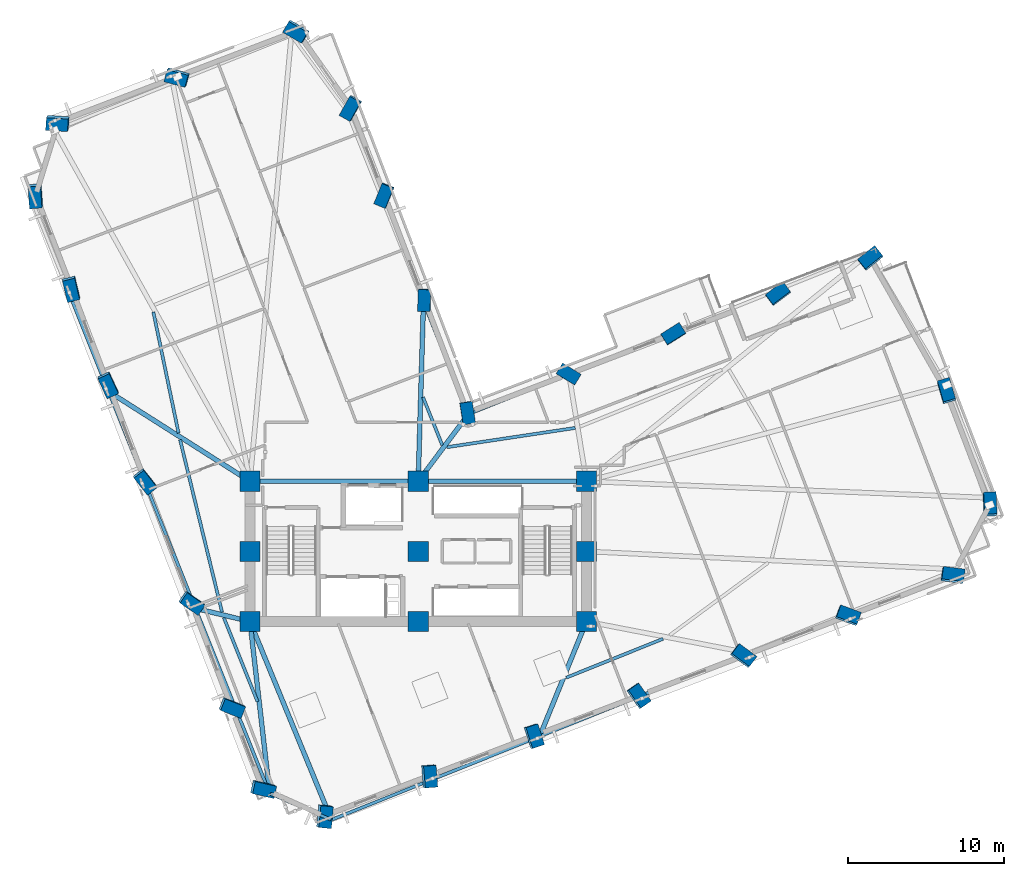
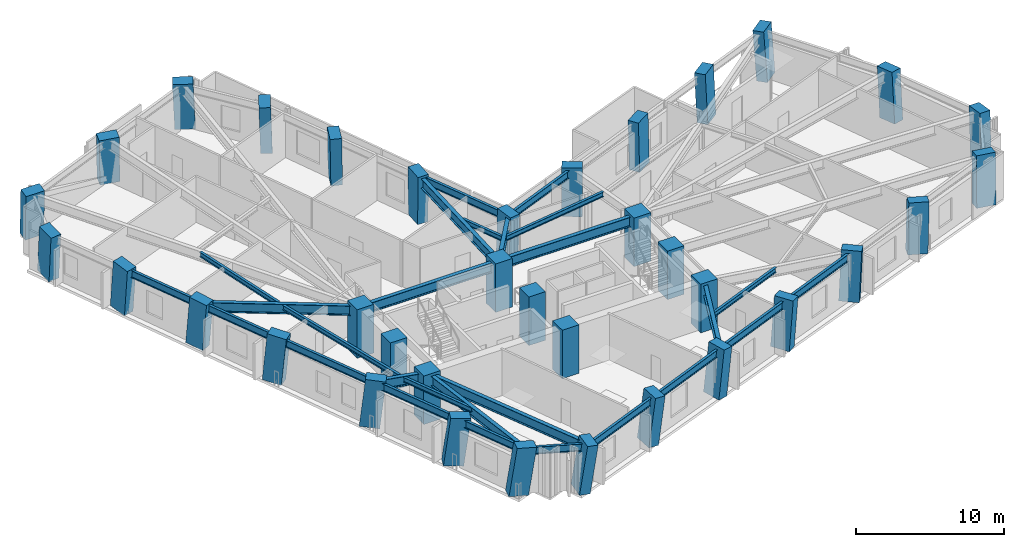
# One storey, part 1 of 15: 36 columns, 27 beams.
"""IFC4 building model written with IfcOpenShell, lengths in metres."""

from ifc_helpers import new_model, si_unit, direction, frame, origin, origin_2d, place, context, subcontext, project, spatial, rectangle, i_section, extrude, material, material_profile, profile_set, type_object, element, save


model = new_model("IFC4")

# Units and contexts
model_context = context("Model", 3, precision=1e-05, world=origin(), true_north=direction((0.0, 1.0)))
body_context = subcontext(model_context, "Body", "Model", "MODEL_VIEW")
ifc_project = project(units=[si_unit("LENGTHUNIT", "METRE"), si_unit("AREAUNIT", "SQUARE_METRE"), si_unit("VOLUMEUNIT", "CUBIC_METRE"), si_unit("PLANEANGLEUNIT", "RADIAN"), si_unit("MASSUNIT", "GRAM", prefix="KILO")], contexts=[model_context])

# Site, building, storey
site_placement = place(None, origin())
site = spatial("IfcSite", under=ifc_project, at=site_placement, CompositionType="ELEMENT")
building_placement = place(site_placement, origin())
building = spatial("IfcBuilding", under=site, at=building_placement, Name="Gaonmaruhae Medical Tower", CompositionType="ELEMENT")
storey_placement = place(building_placement, frame((0.0, 0.0, 112.39990234375)))
storey = spatial("IfcBuildingStorey", under=building, at=storey_placement, Name="L26", CompositionType="ELEMENT", Elevation=112.39990234375)

# Columns
ifc_material_1 = material(Name="Concrete C60/75", Category="concrete")
ifc_material_profile_1 = material_profile(ifc_material_1, rectangle(XDim=1.300048828125, YDim=1.300048828125, at=origin_2d()), Name="RC-1300x1300")
ifc_profile_set_1 = profile_set([ifc_material_profile_1], Name="Concrete C60/75")
column_type_1 = type_object("IfcColumnType", Name="CC-03 Zone 2 Core Column (RC-1300x1300)", PredefinedType="COLUMN", material=ifc_profile_set_1)
for number, where, z_axis, x_axis, name in (
    (1, (14.0, 7.800048828125, 0.0), (0.0, 0.0, 1.0), (1.0, 0.0, 0.0), "L26 Plumb Core Column CC11"),
    (2, (14.0, 12.300048828125, 0.0), (0.0, 0.0, 1.0), (1.0, 0.0, 0.0), "L26 Plumb Core Column CC12"),
    (3, (14.0, 16.800048828125, 0.0), (0.0, 0.0, 1.0), (1.0, 0.0, 0.0), "L26 Plumb Core Column CC13"),
    (4, (24.800048828125, 7.800048828125, 0.0), (0.0, 0.0, 1.0), (1.0, 0.0, 0.0), "L26 Plumb Core Column CC21"),
    (5, (24.800048828125, 12.300048828125, 0.0), (0.0, 0.0, 1.0), (1.0, 0.0, 0.0), "L26 Plumb Core Column CC22"),
    (6, (24.800048828125, 16.800048828125, 0.0), (0.0, 0.0, 1.0), (1.0, 0.0, 0.0), "L26 Plumb Core Column CC23"),
    (7, (35.60009765625, 7.800048828125, 0.0), (0.0, 0.0, 1.0), (1.0, 0.0, 0.0), "L26 Plumb Core Column CC31"),
    (8, (35.60009765625, 12.300048828125, 0.0), (0.0, 0.0, 1.0), (1.0, 0.0, 0.0), "L26 Plumb Core Column CC32"),
    (9, (35.60009765625, 16.800048828125, 0.0), (0.0, 0.0, 1.0), (1.0, 0.0, 0.0), "L26 Plumb Core Column CC33"),
):
    element("IfcColumn", number, at=place(storey_placement, frame(where, z_axis=z_axis, x_axis=x_axis)), inside=storey, type_object=column_type_1, Name=name, PredefinedType="COLUMN", context=body_context, shape_type="SweptSolid", body=[
        extrude(rectangle(XDim=1.300048828125, YDim=1.300048828125, at=origin_2d()), origin(), (0.0, 0.0, 1.0), 4.0),
    ])
ifc_material_profile_2 = material_profile(ifc_material_1, rectangle(XDim=1.39990234375, YDim=0.800048828125, at=origin_2d()), Name="RC-1400x800")
ifc_profile_set_2 = profile_set([ifc_material_profile_2], Name="Concrete C60/75")
column_type_2 = type_object("IfcColumnType", Name="TC-02 Mid Raking Tube Pier Column (RC-1400x800)", PredefinedType="COLUMN", material=ifc_profile_set_2)
column_1_placement = place(storey_placement, frame((18.7431640625, -4.690673828125, 0.001953125), z_axis=(0.121598602574, -0.059982187731, 0.990765318835), x_axis=(0.096301913235, 0.994176214931, 0.048369361922)))
element("IfcColumn", 10, at=column_1_placement, inside=storey, type_object=column_type_2, Name="L26 Perimeter Tube Column S01", PredefinedType="COLUMN", context=body_context, shape_type="SweptSolid", body=[
    extrude(rectangle(XDim=1.39990234375, YDim=0.800048828125, at=origin_2d()), origin(), (0.0, 0.0, 1.0), 4.03369140625),
])
column_2_placement = place(storey_placement, frame((25.46923828125, -2.1220703125, 0.001953125), z_axis=(0.111165605007, -0.032524434653, 0.993269535128), x_axis=(-0.07775131462, 0.996116174496, 0.041319486707)))
element("IfcColumn", 11, at=column_2_placement, inside=storey, type_object=column_type_2, Name="L26 Perimeter Tube Column S02", PredefinedType="COLUMN", context=body_context, shape_type="SweptSolid", body=[
    extrude(rectangle(XDim=1.39990234375, YDim=0.800048828125, at=origin_2d()), origin(), (0.0, 0.0, 1.0), 4.0234375),
])
column_3_placement = place(storey_placement, frame((32.195556640625, 0.446533203125, 0.001953125), z_axis=(0.100471354658, -0.004923278722, 0.994927770353), x_axis=(-0.308780331576, 0.950456194039, 0.035884955697)))
element("IfcColumn", 12, at=column_3_placement, inside=storey, type_object=column_type_2, Name="L26 Perimeter Tube Column S03", PredefinedType="COLUMN", context=body_context, shape_type="SweptSolid", body=[
    extrude(rectangle(XDim=1.39990234375, YDim=0.800048828125, at=origin_2d()), origin(), (0.0, 0.0, 1.0), 4.0166015625),
])
column_4_placement = place(storey_placement, frame((38.921875, 3.01513671875, 0.001953125), z_axis=(0.089722632167, 0.02268918088, 0.995708315898), x_axis=(-0.573399819139, 0.818610197095, 0.033015036332)))
element("IfcColumn", 13, at=column_4_placement, inside=storey, type_object=column_type_2, Name="L26 Perimeter Tube Column S04", PredefinedType="COLUMN", context=body_context, shape_type="SweptSolid", body=[
    extrude(rectangle(XDim=1.39990234375, YDim=0.800048828125, at=origin_2d()), origin(), (0.0, 0.0, 1.0), 4.013671875),
])
column_5_placement = place(storey_placement, frame((45.64794921875, 5.583740234375, 0.001953125), z_axis=(0.078947790849, 0.050361148554, 0.995605846225), x_axis=(-0.801849419572, 0.596591609047, 0.033405992688)))
element("IfcColumn", 14, at=column_5_placement, inside=storey, type_object=column_type_2, Name="L26 Perimeter Tube Column S05", PredefinedType="COLUMN", context=body_context, shape_type="SweptSolid", body=[
    extrude(rectangle(XDim=1.39990234375, YDim=0.800048828125, at=origin_2d()), origin(), (0.0, 0.0, 1.0), 4.013916015625),
])
column_6_placement = place(storey_placement, frame((52.374267578125, 8.15234375, 0.001953125), z_axis=(0.067994181617, 0.077959369986, 0.994635173266), x_axis=(-0.93727055229, 0.346644050033, 0.03690276937)))
element("IfcColumn", 15, at=column_6_placement, inside=storey, type_object=column_type_2, Name="L26 Perimeter Tube Column S06", PredefinedType="COLUMN", context=body_context, shape_type="SweptSolid", body=[
    extrude(rectangle(XDim=1.39990234375, YDim=0.800048828125, at=origin_2d()), origin(), (0.0, 0.0, 1.0), 4.017822265625),
])
column_7_placement = place(storey_placement, frame((59.1005859375, 10.720703125, 0.001953125), z_axis=(0.057071849794, 0.105470719226, 0.992783325478), x_axis=(-0.990177431799, 0.133110722868, 0.042780708428)))
element("IfcColumn", 16, at=column_7_placement, inside=storey, type_object=column_type_2, Name="L26 Perimeter Tube Column S07", PredefinedType="COLUMN", context=body_context, shape_type="SweptSolid", body=[
    extrude(rectangle(XDim=1.39990234375, YDim=0.800048828125, at=origin_2d()), origin(), (0.0, 0.0, 1.0), 4.025390625),
])
column_8_placement = place(storey_placement, frame((61.484375, 15.2705078125, 0.001953125), z_axis=(0.038263882911, 0.115094849072, 0.992617273163), x_axis=(0.045975598862, -0.992495561747, 0.113308447267)))
element("IfcColumn", 17, at=column_8_placement, inside=storey, type_object=column_type_2, Name="L26 Perimeter Tube Column E01", PredefinedType="COLUMN", context=body_context, shape_type="SweptSolid", body=[
    extrude(rectangle(XDim=1.39990234375, YDim=0.800048828125, at=origin_2d()), origin(), (0.0, 0.0, 1.0), 4.026123046875),
])
column_9_placement = place(storey_placement, frame((58.70166015625, 22.557373046875, 0.001953125), z_axis=(0.008384963589, 0.103536072138, 0.994590354946), x_axis=(0.280571284109, -0.954915121336, 0.097040535741)))
element("IfcColumn", 18, at=column_9_placement, inside=storey, type_object=column_type_2, Name="L26 Perimeter Tube Column E02", PredefinedType="COLUMN", context=body_context, shape_type="SweptSolid", body=[
    extrude(rectangle(XDim=1.39990234375, YDim=0.800048828125, at=origin_2d()), origin(), (0.0, 0.0, 1.0), 4.01806640625),
])
column_10_placement = place(storey_placement, frame((53.840087890625, 31.083984375, 0.001953125), z_axis=(-0.02665519413, 0.083373552415, 0.99616180984), x_axis=(-0.781616161298, -0.622977639783, 0.031225578096)))
element("IfcColumn", 19, at=column_10_placement, inside=storey, type_object=column_type_2, Name="L26 Perimeter Tube Column E03", PredefinedType="COLUMN", context=body_context, shape_type="SweptSolid", body=[
    extrude(rectangle(XDim=1.39990234375, YDim=0.800048828125, at=origin_2d()), origin(), (0.0, 0.0, 1.0), 4.01171875),
])
column_11_placement = place(storey_placement, frame((47.90771484375, 28.818603515625, 0.001953125), z_axis=(-0.017073122425, 0.059085198677, 0.998106932041), x_axis=(-0.798643791518, -0.601403956679, 0.021940263449)))
element("IfcColumn", 20, at=column_11_placement, inside=storey, type_object=column_type_2, Name="L26 Perimeter Tube Column EN01", PredefinedType="COLUMN", context=body_context, shape_type="SweptSolid", body=[
    extrude(rectangle(XDim=1.39990234375, YDim=0.800048828125, at=origin_2d()), origin(), (0.0, 0.0, 1.0), 4.00390625),
])
column_12_placement = place(storey_placement, frame((41.181640625, 26.25, 0.001953125), z_axis=(-0.006289157671, 0.03138472857, 0.999487591373), x_axis=(-0.845937224, -0.533160225609, 0.011418707428)))
element("IfcColumn", 21, at=column_12_placement, inside=storey, type_object=column_type_2, Name="L26 Perimeter Tube Column EN02", PredefinedType="COLUMN", context=body_context, shape_type="SweptSolid", body=[
    extrude(rectangle(XDim=1.39990234375, YDim=0.800048828125, at=origin_2d()), origin(), (0.0, 0.0, 1.0), 3.998291015625),
])
column_13_placement = place(storey_placement, frame((34.455322265625, 23.681640625, 0.001953125), z_axis=(0.004581754657, 0.003543223601, 0.999983226405), x_axis=(-0.853691308844, 0.52077526819, 0.002066215567)))
element("IfcColumn", 22, at=column_13_placement, inside=storey, type_object=column_type_2, Name="L26 Perimeter Tube Column EN03", PredefinedType="COLUMN", context=body_context, shape_type="SweptSolid", body=[
    extrude(rectangle(XDim=1.39990234375, YDim=0.800048828125, at=origin_2d()), origin(), (0.0, 0.0, 1.0), 3.996337890625),
])
column_14_placement = place(storey_placement, frame((27.962646484375, 21.2021484375, 0.001953125), z_axis=(0.015083717876, -0.023205719809, 0.999616914634), x_axis=(-0.154931345932, 0.987602134532, 0.025264637642)))
element("IfcColumn", 23, at=column_14_placement, inside=storey, type_object=column_type_2, Name="L26 Perimeter Tube Column KN01", PredefinedType="COLUMN", context=body_context, shape_type="SweptSolid", body=[
    extrude(rectangle(XDim=1.39990234375, YDim=0.800048828125, at=origin_2d()), origin(), (0.0, 0.0, 1.0), 3.997802734375),
])
column_15_placement = place(storey_placement, frame((25.19775390625, 28.442138671875, 0.001953125), z_axis=(-0.014773412501, -0.034918975002, 0.999280947215), x_axis=(0.035197670554, 0.998752464752, 0.035420871532)))
element("IfcColumn", 24, at=column_15_placement, inside=storey, type_object=column_type_2, Name="L26 Perimeter Tube Column NE01", PredefinedType="COLUMN", context=body_context, shape_type="SweptSolid", body=[
    extrude(rectangle(XDim=1.39990234375, YDim=0.800048828125, at=origin_2d()), origin(), (0.0, 0.0, 1.0), 3.999267578125),
])
column_16_placement = place(storey_placement, frame((22.629150390625, 35.16845703125, 0.001953125), z_axis=(-0.042497434841, -0.045728947103, 0.998049513516), x_axis=(0.373403967299, 0.925833824237, 0.058319868861)))
element("IfcColumn", 25, at=column_16_placement, inside=storey, type_object=column_type_2, Name="L26 Perimeter Tube Column NE02", PredefinedType="COLUMN", context=body_context, shape_type="SweptSolid", body=[
    extrude(rectangle(XDim=1.39990234375, YDim=0.800048828125, at=origin_2d()), origin(), (0.0, 0.0, 1.0), 4.004150390625),
])
column_17_placement = place(storey_placement, frame((20.48876953125, 40.773681640625, 0.001953125), z_axis=(-0.065494174518, -0.054720504546, 0.996351433725), x_axis=(0.485566626564, 0.870556249889, 0.079729962663)))
element("IfcColumn", 26, at=column_17_placement, inside=storey, type_object=column_type_2, Name="L26 Perimeter Tube Column NE03", PredefinedType="COLUMN", context=body_context, shape_type="SweptSolid", body=[
    extrude(rectangle(XDim=1.39990234375, YDim=0.800048828125, at=origin_2d()), origin(), (0.0, 0.0, 1.0), 4.010986328125),
])
column_18_placement = place(storey_placement, frame((17.00048828125, 45.70361328125, 0.001953125), z_axis=(-0.08555522656, -0.06909996297, 0.993934353127), x_axis=(0.86282484586, -0.503978288116, 0.039232263177)))
element("IfcColumn", 27, at=column_18_placement, inside=storey, type_object=column_type_2, Name="L26 Perimeter Tube Column N01", PredefinedType="COLUMN", context=body_context, shape_type="SweptSolid", body=[
    extrude(rectangle(XDim=1.39990234375, YDim=0.800048828125, at=origin_2d()), origin(), (0.0, 0.0, 1.0), 4.020751953125),
])
column_19_placement = place(storey_placement, frame((9.340087890625, 42.7783203125, 0.001953125), z_axis=(-0.07310555409, -0.100383745915, 0.992259382176), x_axis=(0.963553675807, -0.263821466154, 0.044300652763)))
element("IfcColumn", 28, at=column_19_placement, inside=storey, type_object=column_type_2, Name="L26 Perimeter Tube Column N02", PredefinedType="COLUMN", context=body_context, shape_type="SweptSolid", body=[
    extrude(rectangle(XDim=1.39990234375, YDim=0.800048828125, at=origin_2d()), origin(), (0.0, 0.0, 1.0), 4.027587890625),
])
column_20_placement = place(storey_placement, frame((1.6796875, 39.85302734375, 0.001953125), z_axis=(-0.060689479062, -0.131413274383, 0.989468209922), x_axis=(0.996122663983, -0.071226123584, 0.05163794746)))
element("IfcColumn", 29, at=column_20_placement, inside=storey, type_object=column_type_2, Name="L26 Perimeter Tube Column N03", PredefinedType="COLUMN", context=body_context, shape_type="SweptSolid", body=[
    extrude(rectangle(XDim=1.39990234375, YDim=0.800048828125, at=origin_2d()), origin(), (0.0, 0.0, 1.0), 4.038818359375),
])
column_21_placement = place(storey_placement, frame((0.25048828125, 35.18603515625, 0.001953125), z_axis=(-0.041476198525, -0.137125391043, 0.989684976185), x_axis=(-0.07378339726, 0.988253126916, 0.133834851324)))
element("IfcColumn", 30, at=column_21_placement, inside=storey, type_object=column_type_2, Name="L26 Perimeter Tube Column W01", PredefinedType="COLUMN", context=body_context, shape_type="SweptSolid", body=[
    extrude(rectangle(XDim=1.39990234375, YDim=0.800048828125, at=origin_2d()), origin(), (0.0, 0.0, 1.0), 4.0380859375),
])
column_22_placement = place(storey_placement, frame((2.53369140625, 29.207275390625, 0.001953125), z_axis=(-0.017083694173, -0.127885384397, 0.991641808241), x_axis=(-0.230933041621, 0.965474948457, 0.120532378182)))
element("IfcColumn", 31, at=column_22_placement, inside=storey, type_object=column_type_2, Name="L26 Perimeter Tube Column W02", PredefinedType="COLUMN", context=body_context, shape_type="SweptSolid", body=[
    extrude(rectangle(XDim=1.39990234375, YDim=0.800048828125, at=origin_2d()), origin(), (0.0, 0.0, 1.0), 4.030029296875),
])
column_23_placement = place(storey_placement, frame((4.88818359375, 23.04150390625, 0.001953125), z_axis=(0.008189293553, -0.118107811468, 0.992967008687), x_axis=(-0.420049262913, 0.900736291816, 0.110601760074)))
element("IfcColumn", 32, at=column_23_placement, inside=storey, type_object=column_type_2, Name="L26 Perimeter Tube Column W03", PredefinedType="COLUMN", context=body_context, shape_type="SweptSolid", body=[
    extrude(rectangle(XDim=1.39990234375, YDim=0.800048828125, at=origin_2d()), origin(), (0.0, 0.0, 1.0), 4.024658203125),
])
column_24_placement = place(storey_placement, frame((7.260498046875, 16.8291015625, 0.001953125), z_axis=(0.033747682875, -0.108223234831, 0.99355363486), x_axis=(-0.616879645364, 0.77989986195, 0.105904241962)))
element("IfcColumn", 33, at=column_24_placement, inside=storey, type_object=column_type_2, Name="L26 Perimeter Tube Column W04", PredefinedType="COLUMN", context=body_context, shape_type="SweptSolid", body=[
    extrude(rectangle(XDim=1.39990234375, YDim=0.800048828125, at=origin_2d()), origin(), (0.0, 0.0, 1.0), 4.022216796875),
])
column_25_placement = place(storey_placement, frame((10.2392578125, 9.028564453125, 0.001953125), z_axis=(0.065774792344, -0.095688973733, 0.993235771103), x_axis=(-0.819595414556, 0.562580206894, 0.108475191866)))
element("IfcColumn", 34, at=column_25_placement, inside=storey, type_object=column_type_2, Name="L26 Perimeter Tube Column W05", PredefinedType="COLUMN", context=body_context, shape_type="SweptSolid", body=[
    extrude(rectangle(XDim=1.39990234375, YDim=0.800048828125, at=origin_2d()), origin(), (0.0, 0.0, 1.0), 4.0234375),
])
column_26_placement = place(storey_placement, frame((12.807861328125, 2.30224609375, 0.001953125), z_axis=(0.093209723125, -0.084725092932, 0.992035083121), x_axis=(-0.925740747344, 0.359384006136, 0.117674146863)))
element("IfcColumn", 35, at=column_26_placement, inside=storey, type_object=column_type_2, Name="L26 Perimeter Tube Column W06", PredefinedType="COLUMN", context=body_context, shape_type="SweptSolid", body=[
    extrude(rectangle(XDim=1.39990234375, YDim=0.800048828125, at=origin_2d()), origin(), (0.0, 0.0, 1.0), 4.0283203125),
])
column_27_placement = place(storey_placement, frame((14.8056640625, -2.929443359375, 0.001953125), z_axis=(0.114486215861, -0.076182952309, 0.990499401391), x_axis=(-0.967987444, 0.215629348499, 0.12846903255)))
element("IfcColumn", 36, at=column_27_placement, inside=storey, type_object=column_type_2, Name="L26 Perimeter Tube Column W07", PredefinedType="COLUMN", context=body_context, shape_type="SweptSolid", body=[
    extrude(rectangle(XDim=1.39990234375, YDim=0.800048828125, at=origin_2d()), origin(), (0.0, 0.0, 1.0), 4.03466796875),
])

# Beams
ifc_material_2 = material(Name="Steel SM355", Category="steel")
ifc_material_profile_3 = material_profile(ifc_material_2, i_section(OverallWidth=0.199951171875, OverallDepth=0.39990234375, WebThickness=0.008056640625, FlangeThickness=0.012939453125, FilletRadius=0.012939453125, at=origin_2d()), Name="H-400x200x8x13")
ifc_profile_set_3 = profile_set([ifc_material_profile_3], Name="Steel SM355")
beam_type_1 = type_object("IfcBeamType", Name="FJ-01 Lower Zone Ward Floor Joist (H-400x200x8x13)", PredefinedType="JOIST", material=ifc_profile_set_3)
beam_1_placement = place(storey_placement, frame((34.298828125, 4.193115234375, 3.580078125), z_axis=(0.92815984052, 0.372181824442, 0.0), x_axis=(-0.372181824442, 0.92815984052, 0.0)))
element("IfcBeam", 37, at=beam_1_placement, inside=storey, type_object=beam_type_1, Name="L26 Secondary Floor Joist FJ02", PredefinedType="JOIST", context=body_context, shape_type="SweptSolid", body=[
    extrude(i_section(OverallWidth=0.199951171875, OverallDepth=0.39990234375, WebThickness=0.008056640625, FlangeThickness=0.012939453125, FilletRadius=0.012939453125, at=origin_2d()), origin(), (0.0, 0.0, 1.0), 6.70263671875),
])
beam_2_placement = place(storey_placement, frame((34.882568359375, 20.224853515625, 3.580078125), z_axis=(-0.988942145071, -0.148301833107, 0.0), x_axis=(0.148301833107, -0.988942145071, 0.0)))
element("IfcBeam", 38, at=beam_2_placement, inside=storey, type_object=beam_type_1, Name="L26 Secondary Floor Joist FJ08", PredefinedType="JOIST", context=body_context, shape_type="SweptSolid", body=[
    extrude(i_section(OverallWidth=0.199951171875, OverallDepth=0.39990234375, WebThickness=0.008056640625, FlangeThickness=0.012939453125, FilletRadius=0.012939453125, at=origin_2d()), origin(), (0.0, 0.0, 1.0), 8.346435546875),
])
beam_3_placement = place(storey_placement, frame((26.34375, 19.123291015625, 3.580078125), z_axis=(-0.372153201761, 0.928171317387, 0.0), x_axis=(-0.928171317387, -0.372153201761, 0.0)))
element("IfcBeam", 39, at=beam_3_placement, inside=storey, type_object=beam_type_1, Name="L26 Secondary Floor Joist FJ09", PredefinedType="JOIST", context=body_context, shape_type="SweptSolid", body=[
    extrude(i_section(OverallWidth=0.199951171875, OverallDepth=0.39990234375, WebThickness=0.008056640625, FlangeThickness=0.012939453125, FilletRadius=0.012939453125, at=origin_2d()), origin(), (0.0, 0.0, 1.0), 3.3115234375),
])
beam_4_placement = place(storey_placement, frame((7.798828125, 27.668701171875, 3.580078125), z_axis=(0.203724683831, -0.979028218796, 0.0), x_axis=(0.979028218796, 0.203724683831, 0.0)))
element("IfcBeam", 40, at=beam_4_placement, inside=storey, type_object=beam_type_1, Name="L26 Secondary Floor Joist FJ13", PredefinedType="JOIST", context=body_context, shape_type="SweptSolid", body=[
    extrude(i_section(OverallWidth=0.199951171875, OverallDepth=0.39990234375, WebThickness=0.008056640625, FlangeThickness=0.012939453125, FilletRadius=0.012939453125, at=origin_2d()), origin(), (0.0, 0.0, 1.0), 7.941650390625),
])
beam_5_placement = place(storey_placement, frame((9.51318359375, 19.466796875, 3.580078125), z_axis=(0.236645051036, -0.971596171164, 0.0), x_axis=(0.971596171164, 0.236645051036, 0.0)))
element("IfcBeam", 41, at=beam_5_placement, inside=storey, type_object=beam_type_1, Name="L26 Secondary Floor Joist FJ14", PredefinedType="JOIST", context=body_context, shape_type="SweptSolid", body=[
    extrude(i_section(OverallWidth=0.199951171875, OverallDepth=0.39990234375, WebThickness=0.008056640625, FlangeThickness=0.012939453125, FilletRadius=0.012939453125, at=origin_2d()), origin(), (0.0, 0.0, 1.0), 11.39892578125),
])
beam_6_placement = place(storey_placement, frame((12.32275390625, 8.04541015625, 3.580078125), z_axis=(0.372173078254, -0.928163347597, 0.0), x_axis=(0.928163347597, 0.372173078254, 0.0)))
element("IfcBeam", 42, at=beam_6_placement, inside=storey, type_object=beam_type_1, Name="L26 Secondary Floor Joist FJ15", PredefinedType="JOIST", context=body_context, shape_type="SweptSolid", body=[
    extrude(i_section(OverallWidth=0.199951171875, OverallDepth=0.39990234375, WebThickness=0.008056640625, FlangeThickness=0.012939453125, FilletRadius=0.012939453125, at=origin_2d()), origin(), (0.0, 0.0, 1.0), 5.809326171875),
])
ifc_material_3 = material(Name="Steel SM420", Category="steel")
ifc_material_profile_4 = material_profile(ifc_material_3, i_section(OverallWidth=0.300048828125, OverallDepth=0.800048828125, WebThickness=0.013916015625, FlangeThickness=0.02587890625, FilletRadius=0.01806640625, at=origin_2d()), Name="H-800x300x14x26")
ifc_profile_set_4 = profile_set([ifc_material_profile_4], Name="Steel SM420")
beam_type_2 = type_object("IfcBeamType", Name="PG-02 Zone 2 Radial Floor Girder (H-800x300x14x26)", PredefinedType="BEAM", material=ifc_profile_set_4)
for number, where, z_axis, x_axis, name in (
    (43, (14.050048828125, 16.800048828125, 3.380126953125), (1.0, 0.0, 0.0), (0.0, 1.0, 0.0), "L26 Beam BM-L26-CG-N1"),
    (44, (24.85009765625, 16.800048828125, 3.380126953125), (1.0, 0.0, 0.0), (0.0, 1.0, 0.0), "L26 Beam BM-L26-CG-N2"),
):
    element("IfcBeam", number, at=place(storey_placement, frame(where, z_axis=z_axis, x_axis=x_axis)), inside=storey, type_object=beam_type_2, Name=name, PredefinedType="BEAM", context=body_context, shape_type="SweptSolid", body=[
        extrude(i_section(OverallWidth=0.300048828125, OverallDepth=0.800048828125, WebThickness=0.013916015625, FlangeThickness=0.02587890625, FilletRadius=0.01806640625, at=origin_2d()), origin(), (0.0, 0.0, 1.0), 10.699951171875),
    ])
beam_7_placement = place(storey_placement, frame((14.01904296875, 7.753662109375, 3.380126953125), z_axis=(0.38018906955, -0.924908790852, 0.0), x_axis=(0.924908790852, 0.38018906955, 0.0)))
element("IfcBeam", 45, at=beam_7_placement, inside=storey, type_object=beam_type_2, Name="L26 Radial Primary Girder S01", PredefinedType="BEAM", context=body_context, shape_type="SweptSolid", body=[
    extrude(i_section(OverallWidth=0.300048828125, OverallDepth=0.800048828125, WebThickness=0.013916015625, FlangeThickness=0.02587890625, FilletRadius=0.01806640625, at=origin_2d()), origin(), (0.0, 0.0, 1.0), 13.666259765625),
])
beam_8_placement = place(storey_placement, frame((35.5810546875, 7.753662109375, 3.380126953125), z_axis=(-0.376931823598, -0.926241005548, 0.0), x_axis=(0.926241005548, -0.376931823598, 0.0)))
element("IfcBeam", 46, at=beam_8_placement, inside=storey, type_object=beam_type_2, Name="L26 Radial Primary Girder S03", PredefinedType="BEAM", context=body_context, shape_type="SweptSolid", body=[
    extrude(i_section(OverallWidth=0.300048828125, OverallDepth=0.800048828125, WebThickness=0.013916015625, FlangeThickness=0.02587890625, FilletRadius=0.01806640625, at=origin_2d()), origin(), (0.0, 0.0, 1.0), 7.860595703125),
])
beam_9_placement = place(storey_placement, frame((24.829833984375, 16.840087890625, 3.380126953125), z_axis=(0.598949149078, 0.800787060846, 0.0), x_axis=(-0.800787060846, 0.598949149078, 0.0)))
element("IfcBeam", 47, at=beam_9_placement, inside=storey, type_object=beam_type_2, Name="L26 Radial Primary Girder KN01", PredefinedType="BEAM", context=body_context, shape_type="SweptSolid", body=[
    extrude(i_section(OverallWidth=0.300048828125, OverallDepth=0.800048828125, WebThickness=0.013916015625, FlangeThickness=0.02587890625, FilletRadius=0.01806640625, at=origin_2d()), origin(), (0.0, 0.0, 1.0), 5.281005859375),
])
beam_10_placement = place(storey_placement, frame((24.801513671875, 16.85009765625, 3.380126953125), z_axis=(0.029427982439, 0.999566903138, 0.0), x_axis=(-0.999566903138, 0.029427982439, 0.0)))
element("IfcBeam", 48, at=beam_10_placement, inside=storey, type_object=beam_type_2, Name="L26 Radial Primary Girder NE01", PredefinedType="BEAM", context=body_context, shape_type="SweptSolid", body=[
    extrude(i_section(OverallWidth=0.300048828125, OverallDepth=0.800048828125, WebThickness=0.013916015625, FlangeThickness=0.02587890625, FilletRadius=0.01806640625, at=origin_2d()), origin(), (0.0, 0.0, 1.0), 11.4072265625),
])
beam_11_placement = place(storey_placement, frame((13.957763671875, 16.826904296875, 3.380126953125), z_axis=(-0.844151751317, 0.536104300252, 0.0), x_axis=(-0.536104300252, -0.844151751317, 0.0)))
element("IfcBeam", 49, at=beam_11_placement, inside=storey, type_object=beam_type_2, Name="L26 Radial Primary Girder W03", PredefinedType="BEAM", context=body_context, shape_type="SweptSolid", body=[
    extrude(i_section(OverallWidth=0.300048828125, OverallDepth=0.800048828125, WebThickness=0.013916015625, FlangeThickness=0.02587890625, FilletRadius=0.01806640625, at=origin_2d()), origin(), (0.0, 0.0, 1.0), 10.655029296875),
])
beam_12_placement = place(storey_placement, frame((13.951416015625, 7.811767578125, 3.380126953125), z_axis=(-0.972105818675, 0.234542698242, 0.0), x_axis=(-0.234542698242, -0.972105818675, 0.0)))
element("IfcBeam", 50, at=beam_12_placement, inside=storey, type_object=beam_type_2, Name="L26 Radial Primary Girder W05", PredefinedType="BEAM", context=body_context, shape_type="SweptSolid", body=[
    extrude(i_section(OverallWidth=0.300048828125, OverallDepth=0.800048828125, WebThickness=0.013916015625, FlangeThickness=0.02587890625, FilletRadius=0.01806640625, at=origin_2d()), origin(), (0.0, 0.0, 1.0), 3.496337890625),
])
beam_13_placement = place(storey_placement, frame((14.005615234375, 7.750244140625, 3.380126953125), z_axis=(0.114115704905, -0.993467465946, 0.0), x_axis=(0.993467465946, 0.114115704905, 0.0)))
element("IfcBeam", 51, at=beam_13_placement, inside=storey, type_object=beam_type_2, Name="L26 Radial Primary Girder W07", PredefinedType="BEAM", context=body_context, shape_type="SweptSolid", body=[
    extrude(i_section(OverallWidth=0.300048828125, OverallDepth=0.800048828125, WebThickness=0.013916015625, FlangeThickness=0.02587890625, FilletRadius=0.01806640625, at=origin_2d()), origin(), (0.0, 0.0, 1.0), 11.009521484375),
])
ifc_material_profile_5 = material_profile(ifc_material_2, i_section(OverallWidth=0.199951171875, OverallDepth=0.60009765625, WebThickness=0.010986328125, FlangeThickness=0.01708984375, FilletRadius=0.012939453125, at=origin_2d()), Name="H-600x200x11x17")
ifc_profile_set_5 = profile_set([ifc_material_profile_5], Name="Steel SM355")
beam_type_3 = type_object("IfcBeamType", Name="SP-01 Lower Perimeter Spandrel Beam (H-600x200x11x17)", PredefinedType="SPANDREL", material=ifc_profile_set_5)
beam_14_placement = place(storey_placement, frame((19.27099609375, -4.917724609375, 3.47998046875), z_axis=(0.928159466782, 0.372182756482, 0.0), x_axis=(-0.372182756482, 0.928159466782, 0.0)))
element("IfcBeam", 52, at=beam_14_placement, inside=storey, type_object=beam_type_3, Name="L26 Perimeter Spandrel Beam S01-S02", PredefinedType="SPANDREL", context=body_context, shape_type="SweptSolid", body=[
    extrude(i_section(OverallWidth=0.199951171875, OverallDepth=0.60009765625, WebThickness=0.010986328125, FlangeThickness=0.01708984375, FilletRadius=0.012939453125, at=origin_2d()), origin(), (0.0, 0.0, 1.0), 7.119873046875),
])
beam_15_placement = place(storey_placement, frame((25.95361328125, -2.23828125, 3.47998046875), z_axis=(0.928164216395, 0.37217091155, 0.0), x_axis=(-0.37217091155, 0.928164216395, 0.0)))
element("IfcBeam", 53, at=beam_15_placement, inside=storey, type_object=beam_type_3, Name="L26 Perimeter Spandrel Beam S02-S03", PredefinedType="SPANDREL", context=body_context, shape_type="SweptSolid", body=[
    extrude(i_section(OverallWidth=0.199951171875, OverallDepth=0.60009765625, WebThickness=0.010986328125, FlangeThickness=0.01708984375, FilletRadius=0.012939453125, at=origin_2d()), origin(), (0.0, 0.0, 1.0), 7.1201171875),
])
for number, where, z_axis, x_axis, name in (
    (54, (32.636474609375, 0.44140625, 3.47998046875), (0.928159466782, 0.372182756482, 0.0), (-0.372182756482, 0.928159466782, 0.0), "L26 Perimeter Spandrel Beam S03-S04"),
    (55, (39.3193359375, 3.12109375, 3.47998046875), (0.928159466782, 0.372182756482, 0.0), (-0.372182756482, 0.928159466782, 0.0), "L26 Perimeter Spandrel Beam S04-S05"),
):
    element("IfcBeam", number, at=place(storey_placement, frame(where, z_axis=z_axis, x_axis=x_axis)), inside=storey, type_object=beam_type_3, Name=name, PredefinedType="SPANDREL", context=body_context, shape_type="SweptSolid", body=[
        extrude(i_section(OverallWidth=0.199951171875, OverallDepth=0.60009765625, WebThickness=0.010986328125, FlangeThickness=0.01708984375, FilletRadius=0.012939453125, at=origin_2d()), origin(), (0.0, 0.0, 1.0), 7.119873046875),
    ])
beam_16_placement = place(storey_placement, frame((34.4365234375, 23.680908203125, 3.47998046875), z_axis=(-0.928160196056, -0.372180937794, 0.0), x_axis=(0.372180937794, -0.928160196056, 0.0)))
element("IfcBeam", 56, at=beam_16_placement, inside=storey, type_object=beam_type_3, Name="L26 Perimeter Spandrel Beam EN03-KN01", PredefinedType="SPANDREL", context=body_context, shape_type="SweptSolid", body=[
    extrude(i_section(OverallWidth=0.199951171875, OverallDepth=0.60009765625, WebThickness=0.010986328125, FlangeThickness=0.01708984375, FilletRadius=0.012939453125, at=origin_2d()), origin(), (0.0, 0.0, 1.0), 6.8701171875),
])
beam_17_placement = place(storey_placement, frame((28.008056640625, 21.146240234375, 3.47998046875), z_axis=(-0.372158864713, 0.928169046788, 0.0), x_axis=(-0.928169046788, -0.372158864713, 0.0)))
element("IfcBeam", 57, at=beam_17_placement, inside=storey, type_object=beam_type_3, Name="L26 Perimeter Spandrel Beam KN01-NE01", PredefinedType="SPANDREL", context=body_context, shape_type="SweptSolid", body=[
    extrude(i_section(OverallWidth=0.199951171875, OverallDepth=0.60009765625, WebThickness=0.010986328125, FlangeThickness=0.01708984375, FilletRadius=0.012939453125, at=origin_2d()), origin(), (0.0, 0.0, 1.0), 7.670166015625),
])
beam_18_placement = place(storey_placement, frame((2.479736328125, 28.654541015625, 3.47998046875), z_axis=(0.372171737419, -0.928163885241, 0.0), x_axis=(0.928163885241, 0.372171737419, 0.0)))
element("IfcBeam", 58, at=beam_18_placement, inside=storey, type_object=beam_type_3, Name="L26 Perimeter Spandrel Beam W02-W03", PredefinedType="SPANDREL", context=body_context, shape_type="SweptSolid", body=[
    extrude(i_section(OverallWidth=0.199951171875, OverallDepth=0.60009765625, WebThickness=0.010986328125, FlangeThickness=0.01708984375, FilletRadius=0.012939453125, at=origin_2d()), origin(), (0.0, 0.0, 1.0), 6.519775390625),
])
beam_19_placement = place(storey_placement, frame((4.93603515625, 22.52880859375, 3.47998046875), z_axis=(0.372184975119, -0.928158577128, 0.0), x_axis=(0.928158577128, 0.372184975119, 0.0)))
element("IfcBeam", 59, at=beam_19_placement, inside=storey, type_object=beam_type_3, Name="L26 Perimeter Spandrel Beam W03-W04", PredefinedType="SPANDREL", context=body_context, shape_type="SweptSolid", body=[
    extrude(i_section(OverallWidth=0.199951171875, OverallDepth=0.60009765625, WebThickness=0.010986328125, FlangeThickness=0.01708984375, FilletRadius=0.012939453125, at=origin_2d()), origin(), (0.0, 0.0, 1.0), 6.570068359375),
])
beam_20_placement = place(storey_placement, frame((7.4111328125, 16.3564453125, 3.47998046875), z_axis=(0.372179483014, -0.928160779404, 0.0), x_axis=(0.928160779404, 0.372179483014, 0.0)))
element("IfcBeam", 60, at=beam_20_placement, inside=storey, type_object=beam_type_3, Name="L26 Perimeter Spandrel Beam W04-W05", PredefinedType="SPANDREL", context=body_context, shape_type="SweptSolid", body=[
    extrude(i_section(OverallWidth=0.199951171875, OverallDepth=0.60009765625, WebThickness=0.010986328125, FlangeThickness=0.01708984375, FilletRadius=0.012939453125, at=origin_2d()), origin(), (0.0, 0.0, 1.0), 8.269775390625),
])
beam_21_placement = place(storey_placement, frame((10.518798828125, 8.6064453125, 3.47998046875), z_axis=(0.37217091155, -0.928164216395, 0.0), x_axis=(0.928164216395, 0.37217091155, 0.0)))
element("IfcBeam", 61, at=beam_21_placement, inside=storey, type_object=beam_type_3, Name="L26 Perimeter Spandrel Beam W05-W06", PredefinedType="SPANDREL", context=body_context, shape_type="SweptSolid", body=[
    extrude(i_section(OverallWidth=0.199951171875, OverallDepth=0.60009765625, WebThickness=0.010986328125, FlangeThickness=0.01708984375, FilletRadius=0.012939453125, at=origin_2d()), origin(), (0.0, 0.0, 1.0), 7.1201171875),
])
beam_22_placement = place(storey_placement, frame((13.198486328125, 1.923583984375, 3.47998046875), z_axis=(0.372175966147, -0.92816218961, 0.0), x_axis=(0.92816218961, 0.372175966147, 0.0)))
element("IfcBeam", 62, at=beam_22_placement, inside=storey, type_object=beam_type_3, Name="L26 Perimeter Spandrel Beam W06-W07", PredefinedType="SPANDREL", context=body_context, shape_type="SweptSolid", body=[
    extrude(i_section(OverallWidth=0.199951171875, OverallDepth=0.60009765625, WebThickness=0.010986328125, FlangeThickness=0.01708984375, FilletRadius=0.012939453125, at=origin_2d()), origin(), (0.0, 0.0, 1.0), 5.52001953125),
])
beam_23_placement = place(storey_placement, frame((15.304443359375, -3.252685546875, 3.47998046875), z_axis=(0.919481761537, -0.393132662343, 0.0), x_axis=(0.393132662343, 0.919481761537, 0.0)))
element("IfcBeam", 63, at=beam_23_placement, inside=storey, type_object=beam_type_3, Name="L26 Perimeter Spandrel Beam W07-S01", PredefinedType="SPANDREL", context=body_context, shape_type="SweptSolid", body=[
    extrude(i_section(OverallWidth=0.199951171875, OverallDepth=0.60009765625, WebThickness=0.010986328125, FlangeThickness=0.01708984375, FilletRadius=0.012939453125, at=origin_2d()), origin(), (0.0, 0.0, 1.0), 4.2333984375),
])

save(model, "model.ifc")
